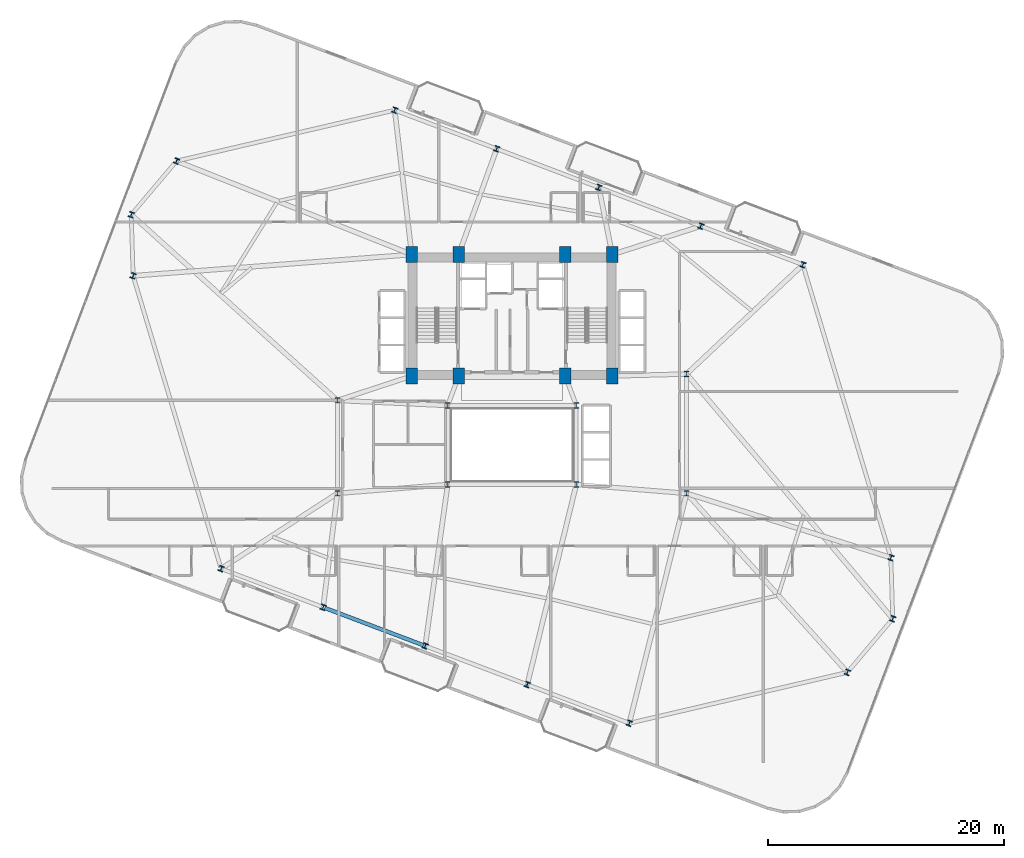
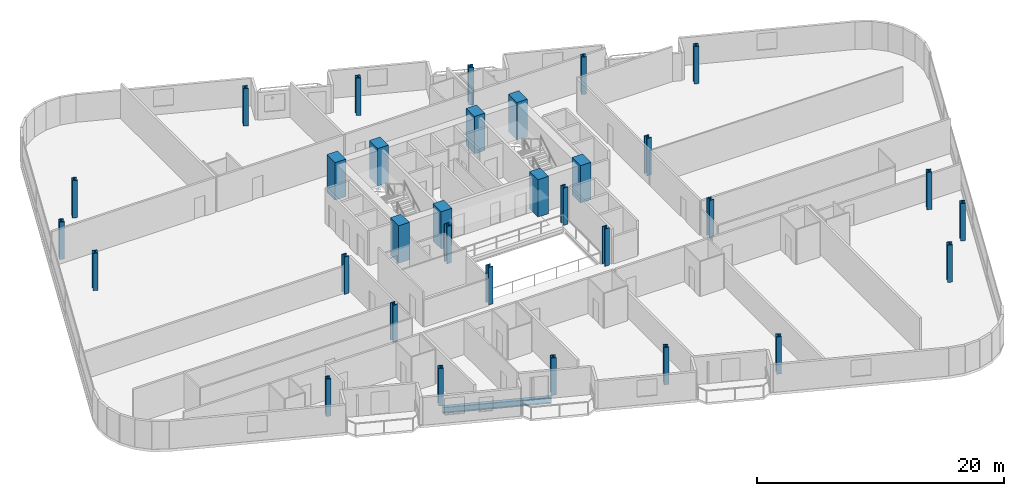
# One storey, part 1 of 26: 32 columns, 1 beam.
"""IFC4 building model written with IfcOpenShell, lengths in metres."""

from ifc_helpers import new_model, si_unit, direction, frame, origin, origin_2d, place, context, subcontext, project, spatial, rectangle, i_section, extrude, material, material_profile, profile_set, type_object, element, save


model = new_model("IFC4")

# Units and contexts
model_context = context("Model", 3, precision=1e-05, world=origin(), true_north=direction((0.0, 1.0)))
body_context = subcontext(model_context, "Body", "Model", "MODEL_VIEW")
ifc_project = project(units=[si_unit("LENGTHUNIT", "METRE"), si_unit("AREAUNIT", "SQUARE_METRE"), si_unit("VOLUMEUNIT", "CUBIC_METRE"), si_unit("PLANEANGLEUNIT", "RADIAN"), si_unit("MASSUNIT", "GRAM", prefix="KILO")], contexts=[model_context])

# Site, building, storey
site_placement = place(None, origin())
site = spatial("IfcSite", under=ifc_project, at=site_placement, CompositionType="ELEMENT")
building_placement = place(site_placement, origin())
building = spatial("IfcBuilding", under=site, at=building_placement, Name="Varnelok Gate Tower", CompositionType="ELEMENT")
storey_placement = place(building_placement, frame((0.0, 0.0, 109.5)))
storey = spatial("IfcBuildingStorey", under=building, at=storey_placement, Name="L27", CompositionType="ELEMENT", Elevation=109.5)

# Columns
ifc_material_1 = material(Name="Concrete C70/85", Category="concrete")
ifc_material_profile_1 = material_profile(ifc_material_1, rectangle(XDim=1.0, YDim=1.35009765625, at=origin_2d()), Name="RC1350X1000")
ifc_profile_set_1 = profile_set([ifc_material_profile_1], Name="Concrete C70/85")
column_type_1 = type_object("IfcColumnType", Name="COL-RC1350X1000", PredefinedType="COLUMN", material=ifc_profile_set_1)
for number, where, z_axis, x_axis, name in (
    (1, (30.699951171875, 28.75, 0.0), (0.0, 0.0, 1.0), (1.0, 0.0, 0.0), "L27 Core Spine Column SC1"),
    (2, (34.679931640625, 28.75, 0.0), (0.0, 0.0, 1.0), (1.0, 0.0, 0.0), "L27 Core Spine Column SC2"),
    (3, (43.719970703125, 28.75, 0.0), (0.0, 0.0, 1.0), (1.0, 0.0, 0.0), "L27 Core Spine Column SC3"),
    (4, (47.699951171875, 28.75, 0.0), (0.0, 0.0, 1.0), (1.0, 0.0, 0.0), "L27 Core Spine Column SC4"),
    (5, (30.699951171875, 39.050048828125, 0.0), (0.0, 0.0, 1.0), (1.0, 0.0, 0.0), "L27 Core Spine Column SC5"),
    (6, (34.679931640625, 39.050048828125, 0.0), (0.0, 0.0, 1.0), (1.0, 0.0, 0.0), "L27 Core Spine Column SC6"),
    (7, (43.719970703125, 39.050048828125, 0.0), (0.0, 0.0, 1.0), (1.0, 0.0, 0.0), "L27 Core Spine Column SC7"),
    (8, (47.699951171875, 39.050048828125, 0.0), (0.0, 0.0, 1.0), (1.0, 0.0, 0.0), "L27 Core Spine Column SC8"),
):
    element("IfcColumn", number, at=place(storey_placement, frame(where, z_axis=z_axis, x_axis=x_axis)), inside=storey, type_object=column_type_1, Name=name, PredefinedType="COLUMN", context=body_context, shape_type="SweptSolid", body=[
        extrude(rectangle(XDim=1.0, YDim=1.35009765625, at=origin_2d()), origin(), (0.0, 0.0, 1.0), 3.699951171875),
    ])
ifc_material_2 = material(Name="Structural Steel ASTM A992 Grade 50", Category="steel")
ifc_material_profile_2 = material_profile(ifc_material_2, i_section(OverallWidth=0.424072265625, OverallDepth=0.47412109375, WebThickness=0.047607421875, FlangeThickness=0.0771484375, FilletRadius=0.02490234375, at=origin_2d()), Name="W14X426")
ifc_profile_set_2 = profile_set([ifc_material_profile_2], Name="Structural Steel ASTM A992 Grade 50")
column_type_2 = type_object("IfcColumnType", Name="COL-W14X426", PredefinedType="COLUMN", material=ifc_profile_set_2)
for number, where, z_axis, x_axis, name in (
    (9, (33.75, 19.550048828125, 0.0), (0.0, 0.0, 1.0), (1.0, 0.0, 0.0), "L27 Atrium Spine Column AC1"),
    (10, (44.64990234375, 19.550048828125, 0.0), (0.0, 0.0, 1.0), (1.0, 0.0, 0.0), "L27 Atrium Spine Column AC2"),
    (11, (33.75, 26.25, 0.0), (0.0, 0.0, 1.0), (1.0, 0.0, 0.0), "L27 Atrium Spine Column AC3"),
    (12, (44.64990234375, 26.25, 0.0), (0.0, 0.0, 1.0), (1.0, 0.0, 0.0), "L27 Atrium Spine Column AC4"),
    (13, (24.39990234375, 18.800048828125, 0.0), (0.0, 0.0, 1.0), (1.0, 0.0, 0.0), "L27 Wing Spine Column WS1"),
    (14, (24.39990234375, 26.679931640625, 0.0), (0.0, 0.0, 1.0), (1.0, 0.0, 0.0), "L27 Wing Spine Column WS2"),
    (15, (54.0, 18.800048828125, 0.0), (0.0, 0.0, 1.0), (1.0, 0.0, 0.0), "L27 Wing Spine Column ES1"),
    (16, (54.0, 28.919921875, 0.0), (0.0, 0.0, 1.0), (1.0, 0.0, 0.0), "L27 Wing Spine Column ES2"),
    (17, (14.541015625, 12.416259765625, 0.0), (0.0, 0.0, 1.0), (0.935221751401, -0.354062530786, 0.0), "L27 B2 Perimeter Column PC01"),
    (18, (23.19189453125, 9.14111328125, 0.0), (0.0, 0.0, 1.0), (0.935221751401, -0.354062530786, 0.0), "L27 B2 Perimeter Column PC02"),
    (19, (31.842529296875, 5.8662109375, 0.0), (0.0, 0.0, 1.0), (0.935221751401, -0.354062530786, 0.0), "L27 B2 Perimeter Column PC03"),
    (20, (40.493408203125, 2.591064453125, 0.0), (0.0, 0.0, 1.0), (0.935221751401, -0.354062530786, 0.0), "L27 B2 Perimeter Column PC04"),
    (21, (49.144287109375, -0.68408203125, 0.0), (0.0, 0.0, 1.0), (0.935221751401, -0.354062530786, 0.0), "L27 B2 Perimeter Column PC05"),
    (22, (67.63671875, 3.627685546875, 0.0), (0.0, 0.0, 1.0), (0.935221751401, -0.354062530786, 0.0), "L27 B2 Perimeter Column PC06"),
    (23, (71.4765625, 8.172607421875, 0.0), (0.0, 0.0, 1.0), (0.935221751401, -0.354062530786, 0.0), "L27 B2 Perimeter Column PC07"),
    (24, (71.319091796875, 13.35400390625, 0.0), (0.0, 0.0, 1.0), (0.935221751401, -0.354062530786, 0.0), "L27 B2 Perimeter Column PC08"),
    (25, (63.85888671875, 38.183837890625, 0.0), (0.0, 0.0, 1.0), (0.935221751401, -0.354062530786, 0.0), "L27 B2 Perimeter Column PC09"),
    (26, (55.208251953125, 41.458740234375, 0.0), (0.0, 0.0, 1.0), (0.935221751401, -0.354062530786, 0.0), "L27 B2 Perimeter Column PC10"),
    (27, (46.557373046875, 44.73388671875, 0.0), (0.0, 0.0, 1.0), (0.935221751401, -0.354062530786, 0.0), "L27 B2 Perimeter Column PC11"),
    (28, (37.906494140625, 48.009033203125, 0.0), (0.0, 0.0, 1.0), (0.935221751401, -0.354062530786, 0.0), "L27 B2 Perimeter Column PC12"),
    (29, (29.255859375, 51.2841796875, 0.0), (0.0, 0.0, 1.0), (0.935221751401, -0.354062530786, 0.0), "L27 B2 Perimeter Column PC13"),
    (30, (10.76318359375, 46.972412109375, 0.0), (0.0, 0.0, 1.0), (0.935221751401, -0.354062530786, 0.0), "L27 B2 Perimeter Column PC14"),
    (31, (6.92333984375, 42.427490234375, 0.0), (0.0, 0.0, 1.0), (0.935221751401, -0.354062530786, 0.0), "L27 B2 Perimeter Column PC15"),
    (32, (7.0810546875, 37.24609375, 0.0), (0.0, 0.0, 1.0), (0.935221751401, -0.354062530786, 0.0), "L27 B2 Perimeter Column PC16"),
):
    element("IfcColumn", number, at=place(storey_placement, frame(where, z_axis=z_axis, x_axis=x_axis)), inside=storey, type_object=column_type_2, Name=name, PredefinedType="COLUMN", context=body_context, shape_type="SweptSolid", body=[
        extrude(i_section(OverallWidth=0.424072265625, OverallDepth=0.47412109375, WebThickness=0.047607421875, FlangeThickness=0.0771484375, FilletRadius=0.02490234375, at=origin_2d()), origin(), (0.0, 0.0, 1.0), 3.699951171875),
    ])

# Beam
ifc_material_profile_3 = material_profile(ifc_material_2, i_section(OverallWidth=0.323974609375, OverallDepth=0.611083984375, WebThickness=0.0126953125, FlangeThickness=0.01904296875, FilletRadius=0.01806640625, at=origin_2d()), Name="W24X104")
ifc_profile_set_3 = profile_set([ifc_material_profile_3], Name="Structural Steel ASTM A992 Grade 50")
beam_type = type_object("IfcBeamType", Name="BM-SPN-W24X104", PredefinedType="SPANDREL", material=ifc_profile_set_3)
beam_placement = place(storey_placement, frame((23.33203125, 9.088134765625, -0.555419921875), z_axis=(0.935220356141, -0.354066216208, 0.0), x_axis=(0.354066216208, 0.935220356141, 0.0)))
element("IfcBeam", 33, at=beam_placement, inside=storey, type_object=beam_type, Name="L27 Perimeter Spandrel Beam 2", PredefinedType="SPANDREL", context=body_context, shape_type="SweptSolid", body=[
    extrude(i_section(OverallWidth=0.323974609375, OverallDepth=0.611083984375, WebThickness=0.0126953125, FlangeThickness=0.01904296875, FilletRadius=0.01806640625, at=origin_2d()), origin(), (0.0, 0.0, 1.0), 8.9501953125),
])

save(model, "model.ifc")
